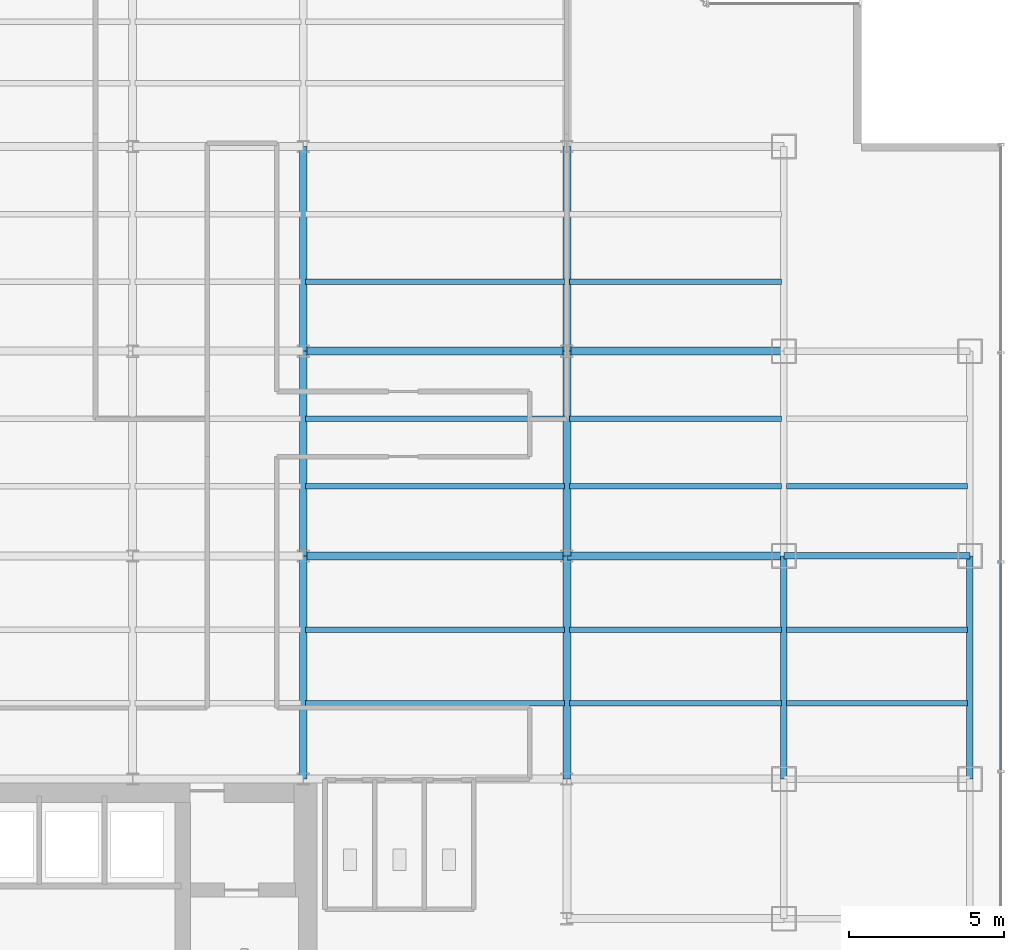
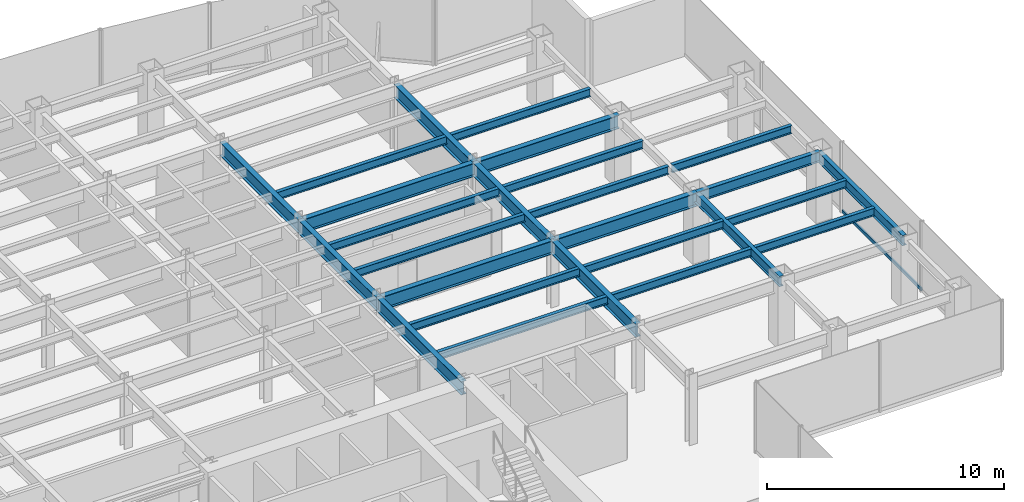
# One storey, part 11 of 26: 26 beams, 1 member, 1 element without a shape of its own.
"""IFC4 building model written with IfcOpenShell, lengths in metres."""

from ifc_helpers import new_model, si_unit, derived_unit, direction, frame, origin, origin_2d, place, context, subcontext, project, spatial, hollow_rectangle, i_section, extrude, source, transform, mapped, material, material_profile, profile_set, type_object, element, aggregate, save


model = new_model("IFC4")

# Units and contexts
model_context = context("Model", 3, precision=1e-05, world=origin(), true_north=direction((0.0, 1.0)))
body_context = subcontext(model_context, "Body", "Model", "MODEL_VIEW")
ifc_project = project(units=[si_unit("LENGTHUNIT", "METRE"), si_unit("AREAUNIT", "SQUARE_METRE"), si_unit("VOLUMEUNIT", "CUBIC_METRE"), si_unit("PLANEANGLEUNIT", "RADIAN"), si_unit("MASSUNIT", "GRAM", prefix="KILO"), derived_unit("THERMALTRANSMITTANCEUNIT", [(si_unit("POWERUNIT", "WATT"), 1), (si_unit("LENGTHUNIT", "METRE"), -2), (si_unit("THERMODYNAMICTEMPERATUREUNIT", "KELVIN"), -1)])], contexts=[model_context])

# Site, building, storey
site_placement = place(None, origin())
site = spatial("IfcSite", under=ifc_project, at=site_placement, CompositionType="ELEMENT")
building_placement = place(site_placement, origin())
building = spatial("IfcBuilding", under=site, at=building_placement, Name="Skarnbrae Concourse Arena and Tower", CompositionType="ELEMENT")
storey_placement = place(building_placement, frame((0.0, 0.0, 117.85009765625)))
storey = spatial("IfcBuildingStorey", under=building, at=storey_placement, Name="L29", CompositionType="ELEMENT", Elevation=117.85009765625)

# Beams
ifc_material_1 = material(Name="Steel CSA G40.21 350W", Category="steel")
ifc_material_profile_1 = material_profile(ifc_material_1, i_section(OverallWidth=0.256103515625, OverallDepth=0.693115234375, WebThickness=0.014404296875, FlangeThickness=0.023681640625, at=origin_2d()), Name="W690X170")
ifc_profile_set_1 = profile_set([ifc_material_profile_1], Name="Steel CSA G40.21 350W")
beam_type_1 = type_object("IfcBeamType", Name="BM-GIRD-W690X170", PredefinedType="BEAM", material=ifc_profile_set_1)
shared_shape_1 = source(origin(), body_context, "Body", "SweptSolid", [
    extrude(i_section(OverallWidth=0.256103515625, OverallDepth=0.693115234375, WebThickness=0.014404296875, FlangeThickness=0.023681640625, at=origin_2d()), origin(), (0.0, 0.0, 1.0), 7.0),
])
for number, where, z_axis, x_axis, name in (
    (1, (42.0, 21.199951171875, 3.053466796875), (1.0, 0.0, 0.0), (0.0, 1.0, 0.0), "L29 Primary E-W girder Y21.2-7"),
    (2, (42.0, 27.800048828125, 3.053466796875), (1.0, 0.0, 0.0), (0.0, 1.0, 0.0), "L29 Primary E-W girder Y27.8-7"),
):
    element("IfcBeam", number, at=place(storey_placement, frame(where, z_axis=z_axis, x_axis=x_axis)), inside=storey, type_object=beam_type_1, Name=name, PredefinedType="BEAM", context=body_context, shape_type="MappedRepresentation", body=[
        mapped(shared_shape_1, transform((0.0, 0.0, 0.0))),
    ])
ifc_material_profile_2 = material_profile(ifc_material_1, i_section(OverallWidth=0.208984375, OverallDepth=0.532958984375, WebThickness=0.01025390625, FlangeThickness=0.015625, at=origin_2d()), Name="W530X92")
ifc_profile_set_2 = profile_set([ifc_material_profile_2], Name="Steel CSA G40.21 350W")
beam_type_2 = type_object("IfcBeamType", Name="BM-SPAN-W530X92", PredefinedType="SPANDREL", material=ifc_profile_set_2)
shared_shape_2 = source(origin(), body_context, "Body", "SweptSolid", [
    extrude(i_section(OverallWidth=0.208984375, OverallDepth=0.532958984375, WebThickness=0.01025390625, FlangeThickness=0.015625, at=origin_2d()), origin(), (0.0, 0.0, 1.0), 6.0),
])
beam_placement = place(storey_placement, frame((49.0, 21.199951171875, 3.13330078125), z_axis=(1.0, 0.0, 0.0), x_axis=(0.0, 1.0, 0.0)))
element("IfcBeam", 3, at=beam_placement, inside=storey, type_object=beam_type_2, Name="L29 Perimeter spandrel Y21.2-8", PredefinedType="SPANDREL", context=body_context, shape_type="MappedRepresentation", body=[
    mapped(shared_shape_2, transform((0.0, 0.0, 0.0))),
])
shared_shape_3 = source(origin(), body_context, "Body", "SweptSolid", [
    extrude(i_section(OverallWidth=0.256103515625, OverallDepth=0.693115234375, WebThickness=0.014404296875, FlangeThickness=0.023681640625, at=origin_2d()), origin(), (0.0, 0.0, 1.0), 6.60009765625),
])
for number, where, z_axis, x_axis, name in (
    (4, (33.5, 21.199951171875, 3.053466796875), (0.0, 1.0, 0.0), (-1.0, 0.0, 0.0), "L29 Primary N-S girder X33.5-2"),
    (5, (42.0, 21.199951171875, 3.053466796875), (0.0, 1.0, 0.0), (-1.0, 0.0, 0.0), "L29 Primary N-S girder X42.0-3"),
):
    element("IfcBeam", number, at=place(storey_placement, frame(where, z_axis=z_axis, x_axis=x_axis)), inside=storey, type_object=beam_type_1, Name=name, PredefinedType="BEAM", context=body_context, shape_type="MappedRepresentation", body=[
        mapped(shared_shape_3, transform((0.0, 0.0, 0.0))),
    ])
shared_shape_4 = source(origin(), body_context, "Body", "SweptSolid", [
    extrude(i_section(OverallWidth=0.256103515625, OverallDepth=0.693115234375, WebThickness=0.014404296875, FlangeThickness=0.023681640625, at=origin_2d()), origin(), (0.0, 0.0, 1.0), 8.5),
])
for number, where, z_axis, x_axis, name in (
    (6, (33.5, 21.199951171875, 3.053466796875), (1.0, 0.0, 0.0), (0.0, 1.0, 0.0), "L29 Primary E-W girder Y21.2-6"),
    (7, (33.5, 27.800048828125, 3.053466796875), (1.0, 0.0, 0.0), (0.0, 1.0, 0.0), "L29 Primary E-W girder Y27.8-6"),
):
    element("IfcBeam", number, at=place(storey_placement, frame(where, z_axis=z_axis, x_axis=x_axis)), inside=storey, type_object=beam_type_1, Name=name, PredefinedType="BEAM", context=body_context, shape_type="MappedRepresentation", body=[
        mapped(shared_shape_4, transform((0.0, 0.0, 0.0))),
    ])
shared_shape_5 = source(origin(), body_context, "Body", "SweptSolid", [
    extrude(i_section(OverallWidth=0.208984375, OverallDepth=0.532958984375, WebThickness=0.01025390625, FlangeThickness=0.015625, at=origin_2d()), origin(), (0.0, 0.0, 1.0), 7.199951171875),
])
for number, where, z_axis, x_axis, name in (
    (8, (49.0, 14.0, 3.13330078125), (0.0, 1.0, 0.0), (-1.0, 0.0, 0.0), "L29 Perimeter spandrel X49.0-2"),
    (9, (55.0, 14.0, 3.13330078125), (0.0, 1.0, 0.0), (-1.0, 0.0, 0.0), "L29 Perimeter spandrel X55.0-2"),
):
    element("IfcBeam", number, at=place(storey_placement, frame(where, z_axis=z_axis, x_axis=x_axis)), inside=storey, type_object=beam_type_2, Name=name, PredefinedType="SPANDREL", context=body_context, shape_type="MappedRepresentation", body=[
        mapped(shared_shape_5, transform((0.0, 0.0, 0.0))),
    ])
shared_shape_6 = source(origin(), body_context, "Body", "SweptSolid", [
    extrude(i_section(OverallWidth=0.256103515625, OverallDepth=0.693115234375, WebThickness=0.014404296875, FlangeThickness=0.023681640625, at=origin_2d()), origin(), (0.0, 0.0, 1.0), 7.199951171875),
])
for number, where, z_axis, x_axis, name in (
    (10, (33.5, 14.0, 3.053466796875), (0.0, 1.0, 0.0), (-1.0, 0.0, 0.0), "L29 Primary N-S girder X33.5-1"),
    (11, (42.0, 14.0, 3.053466796875), (0.0, 1.0, 0.0), (-1.0, 0.0, 0.0), "L29 Primary N-S girder X42.0-2"),
):
    element("IfcBeam", number, at=place(storey_placement, frame(where, z_axis=z_axis, x_axis=x_axis)), inside=storey, type_object=beam_type_1, Name=name, PredefinedType="BEAM", context=body_context, shape_type="MappedRepresentation", body=[
        mapped(shared_shape_6, transform((0.0, 0.0, 0.0))),
    ])
shared_shape_7 = source(origin(), body_context, "Body", "SweptSolid", [
    extrude(i_section(OverallWidth=0.256103515625, OverallDepth=0.693115234375, WebThickness=0.014404296875, FlangeThickness=0.023681640625, at=origin_2d()), origin(), (0.0, 0.0, 1.0), 6.599853515625),
])
for number, where, z_axis, x_axis, name in (
    (12, (33.5, 27.800048828125, 3.053466796875), (0.0, 1.0, 0.0), (-1.0, 0.0, 0.0), "L29 Primary N-S girder X33.5-3"),
    (13, (42.0, 27.800048828125, 3.053466796875), (0.0, 1.0, 0.0), (-1.0, 0.0, 0.0), "L29 Primary N-S girder X42.0-4"),
):
    element("IfcBeam", number, at=place(storey_placement, frame(where, z_axis=z_axis, x_axis=x_axis)), inside=storey, type_object=beam_type_1, Name=name, PredefinedType="BEAM", context=body_context, shape_type="MappedRepresentation", body=[
        mapped(shared_shape_7, transform((0.0, 0.0, 0.0))),
    ])
ifc_material_profile_3 = material_profile(ifc_material_1, i_section(OverallWidth=0.177978515625, OverallDepth=0.406982421875, WebThickness=0.0078125, FlangeThickness=0.0126953125, at=origin_2d()), Name="W410X60")
ifc_profile_set_3 = profile_set([ifc_material_profile_3], Name="Steel CSA G40.21 350W")
beam_type_3 = type_object("IfcBeamType", Name="BM-JOIST-W410X60", PredefinedType="JOIST", material=ifc_profile_set_3)
shared_shape_8 = source(origin(), body_context, "Body", "SweptSolid", [
    extrude(i_section(OverallWidth=0.177978515625, OverallDepth=0.406982421875, WebThickness=0.0078125, FlangeThickness=0.0126953125, at=origin_2d()), origin(), (0.0, 0.0, 1.0), 8.33984375),
])
for number, where, z_axis, x_axis, name in (
    (14, (33.580078125, 16.447998046875, 3.1962890625), (1.0, 0.0, 0.0), (0.0, 1.0, 0.0), "L29 Secondary floor joist 1.1.6"),
    (15, (33.580078125, 18.823974609375, 3.1962890625), (1.0, 0.0, 0.0), (0.0, 1.0, 0.0), "L29 Secondary floor joist 1.2.6"),
    (16, (33.580078125, 23.444091796875, 3.1962890625), (1.0, 0.0, 0.0), (0.0, 1.0, 0.0), "L29 Secondary floor joist 2.1.6"),
    (17, (33.580078125, 25.6220703125, 3.1962890625), (1.0, 0.0, 0.0), (0.0, 1.0, 0.0), "L29 Secondary floor joist 2.2.6"),
    (18, (33.580078125, 30.0439453125, 3.1962890625), (1.0, 0.0, 0.0), (0.0, 1.0, 0.0), "L29 Secondary floor joist 3.1.5"),
):
    element("IfcBeam", number, at=place(storey_placement, frame(where, z_axis=z_axis, x_axis=x_axis)), inside=storey, type_object=beam_type_3, Name=name, PredefinedType="JOIST", context=body_context, shape_type="MappedRepresentation", body=[
        mapped(shared_shape_8, transform((0.0, 0.0, 0.0))),
    ])
shared_shape_9 = source(origin(), body_context, "Body", "SweptSolid", [
    extrude(i_section(OverallWidth=0.177978515625, OverallDepth=0.406982421875, WebThickness=0.0078125, FlangeThickness=0.0126953125, at=origin_2d()), origin(), (0.0, 0.0, 1.0), 6.83984375),
])
for number, where, z_axis, x_axis, name in (
    (19, (42.080078125, 16.447998046875, 3.1962890625), (1.0, 0.0, 0.0), (0.0, 1.0, 0.0), "L29 Secondary floor joist 1.1.7"),
    (20, (42.080078125, 18.823974609375, 3.1962890625), (1.0, 0.0, 0.0), (0.0, 1.0, 0.0), "L29 Secondary floor joist 1.2.7"),
    (21, (42.080078125, 23.444091796875, 3.1962890625), (1.0, 0.0, 0.0), (0.0, 1.0, 0.0), "L29 Secondary floor joist 2.1.7"),
    (22, (42.080078125, 25.6220703125, 3.1962890625), (1.0, 0.0, 0.0), (0.0, 1.0, 0.0), "L29 Secondary floor joist 2.2.7"),
    (23, (42.080078125, 30.0439453125, 3.1962890625), (1.0, 0.0, 0.0), (0.0, 1.0, 0.0), "L29 Secondary floor joist 3.1.6"),
):
    element("IfcBeam", number, at=place(storey_placement, frame(where, z_axis=z_axis, x_axis=x_axis)), inside=storey, type_object=beam_type_3, Name=name, PredefinedType="JOIST", context=body_context, shape_type="MappedRepresentation", body=[
        mapped(shared_shape_9, transform((0.0, 0.0, 0.0))),
    ])
shared_shape_10 = source(origin(), body_context, "Body", "SweptSolid", [
    extrude(i_section(OverallWidth=0.177978515625, OverallDepth=0.406982421875, WebThickness=0.0078125, FlangeThickness=0.0126953125, at=origin_2d()), origin(), (0.0, 0.0, 1.0), 5.83984375),
])
for number, where, z_axis, x_axis, name in (
    (24, (49.080078125, 16.447998046875, 3.1962890625), (1.0, 0.0, 0.0), (0.0, 1.0, 0.0), "L29 Secondary floor joist 1.1.8"),
    (25, (49.080078125, 18.823974609375, 3.1962890625), (1.0, 0.0, 0.0), (0.0, 1.0, 0.0), "L29 Secondary floor joist 1.2.8"),
    (26, (49.080078125, 23.444091796875, 3.1962890625), (1.0, 0.0, 0.0), (0.0, 1.0, 0.0), "L29 Secondary floor joist 2.1.8"),
):
    element("IfcBeam", number, at=place(storey_placement, frame(where, z_axis=z_axis, x_axis=x_axis)), inside=storey, type_object=beam_type_3, Name=name, PredefinedType="JOIST", context=body_context, shape_type="MappedRepresentation", body=[
        mapped(shared_shape_10, transform((0.0, 0.0, 0.0))),
    ])

# Curtain wall, member
ifc_material_2 = material(Name="Bronze anodised aluminium 6063-T6", Category="aluminium")
curtain_wall_type = type_object("IfcCurtainWallType", Name="CW-SYS-04-MIDZONE", PredefinedType="USERDEFINED", material=ifc_material_2)
curtain_wall_placement = place(storey_placement, origin())
curtain_wall = element("IfcCurtainWall", 27, at=curtain_wall_placement, inside=storey, type_object=curtain_wall_type, Name="L29 Unitised curtain wall CW-L29-E04", ObjectType="UNITISED CURTAIN WALL", PredefinedType="USERDEFINED")
ifc_material_profile_4 = material_profile(ifc_material_2, hollow_rectangle(XDim=0.074951171875, YDim=0.159912109375, WallThickness=0.00439453125, at=origin_2d()), Name="ALU-TRAN-75X160")
ifc_profile_set_4 = profile_set([ifc_material_profile_4], Name="Bronze anodised aluminium 6063-T6")
member_type = type_object("IfcMemberType", Name="CWT-CW-04", PredefinedType="USERDEFINED", material=ifc_profile_set_4)
shared_shape_11 = source(origin(), body_context, "Body", "SweptSolid", [
    extrude(hollow_rectangle(XDim=0.074951171875, YDim=0.159912109375, WallThickness=0.00439453125, at=origin_2d()), origin(), (0.0, 0.0, 1.0), 6.6748046875),
])
member_placement = place(storey_placement, frame((56.0, 14.28759765625, 0.079833984375), z_axis=(0.0, 1.0, 0.0), x_axis=(-1.0, 0.0, 0.0)))
member = element("IfcMember", 28, at=member_placement, type_object=member_type, Name="CW-L29-E04 Transom 2", ObjectType="TRANSOM", PredefinedType="USERDEFINED", context=body_context, shape_type="MappedRepresentation", body=[
    mapped(shared_shape_11, transform((0.0, 0.0, 0.0))),
])
aggregate(curtain_wall, [member])

save(model, "model.ifc")
